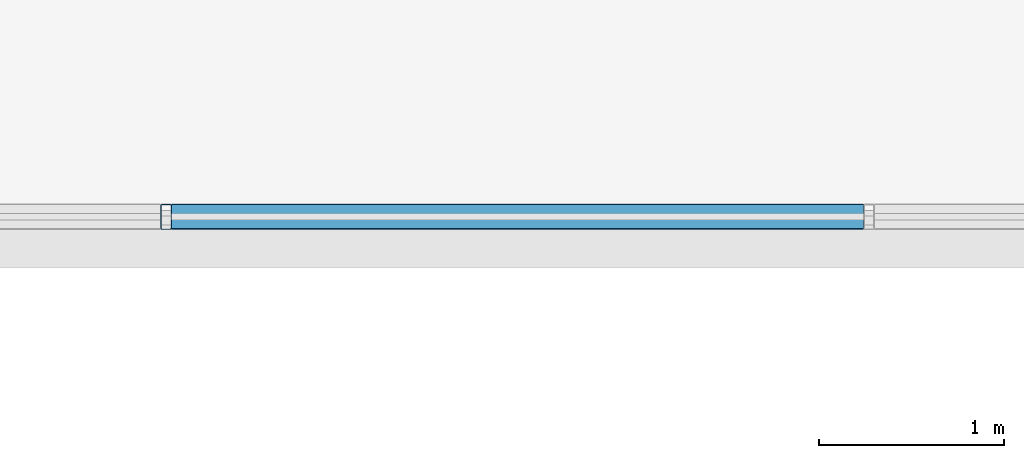
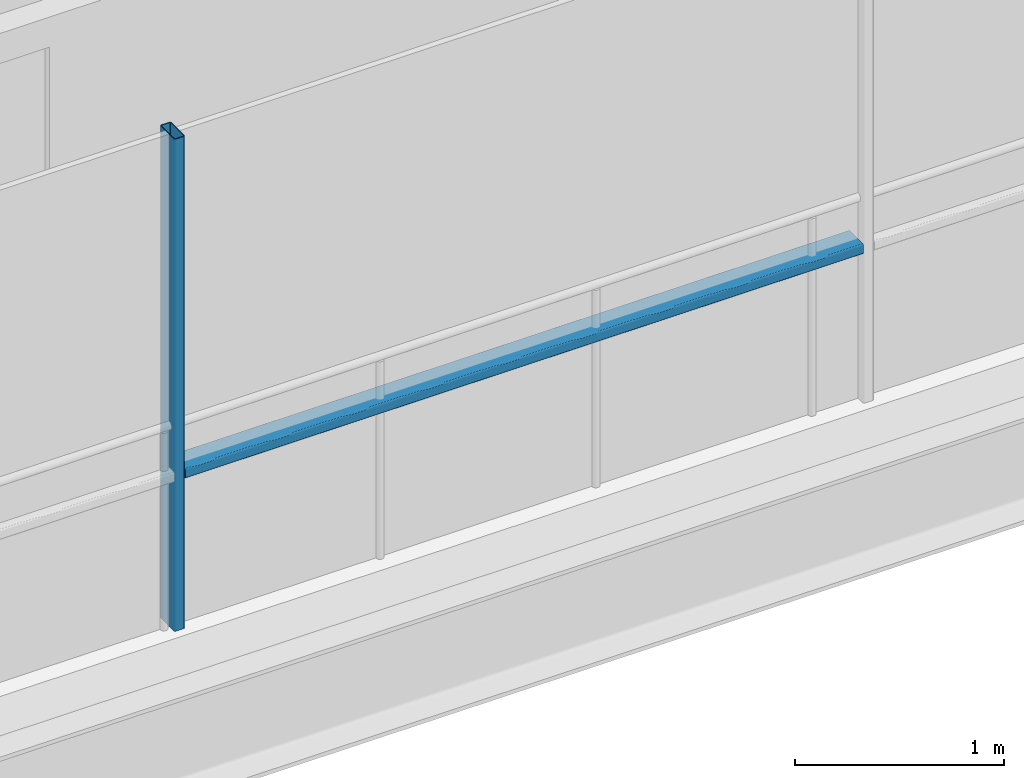
# One storey, part 11 of 41: 2 members, 1 element without a shape of its own.
"""IFC4 building model written with IfcOpenShell, lengths in metres."""

from ifc_helpers import new_model, si_unit, direction, frame, origin, origin_2d, place, context, subcontext, project, spatial, hollow_rectangle, extrude, material, layer, layer_set, material_profile, profile_set, type_object, element, aggregate, save


model = new_model("IFC4")

# Units and contexts
model_context = context("Model", 3, precision=1e-05, world=origin(), true_north=direction((0.0, 1.0)))
body_context = subcontext(model_context, "Body", "Model", "MODEL_VIEW")
ifc_project = project(units=[si_unit("LENGTHUNIT", "METRE"), si_unit("AREAUNIT", "SQUARE_METRE"), si_unit("VOLUMEUNIT", "CUBIC_METRE"), si_unit("PLANEANGLEUNIT", "RADIAN"), si_unit("MASSUNIT", "GRAM", prefix="KILO")], contexts=[model_context])

# Site, building, storey
site_placement = place(None, origin())
site = spatial("IfcSite", under=ifc_project, at=site_placement, CompositionType="ELEMENT")
building_placement = place(site_placement, origin())
building = spatial("IfcBuilding", under=site, at=building_placement, Name="Brevholm Reach", CompositionType="ELEMENT")
storey_placement = place(building_placement, frame((0.0, 0.0, 55.89990234375)))
storey = spatial("IfcBuildingStorey", under=building, at=storey_placement, Name="L15", CompositionType="ELEMENT", Elevation=55.89990234375)

# Curtain wall, members
ifc_material_1 = material(Name="Dark Anodised Aluminium 6063-T6 and Solar-Control Glass", Category="aluminium")
ifc_layer = layer(ifc_material_1, 0.139892578125)
ifc_layer_set = layer_set([ifc_layer], Name="Dark Anodised Aluminium 6063-T6 and Solar-Control Glass")
curtain_wall_type = type_object("IfcCurtainWallType", Name="CW-02", PredefinedType="NOTDEFINED", material=ifc_layer_set)
curtain_wall_placement = place(storey_placement, origin())
curtain_wall = element("IfcCurtainWall", 1, at=curtain_wall_placement, inside=storey, type_object=curtain_wall_type, Name="L15 Curtain Wall CW-02", PredefinedType="NOTDEFINED")
ifc_material_2 = material(Name="Dark Anodised Aluminium 6063-T6", Category="aluminium")
ifc_material_profile_1 = material_profile(ifc_material_2, hollow_rectangle(XDim=0.06005859375, YDim=0.139892578125, WallThickness=0.0048828125, InnerFilletRadius=0.0048828125, OuterFilletRadius=0.010009765625, at=origin_2d()), Name="RHS 140x60x5")
ifc_profile_set_1 = profile_set([ifc_material_profile_1], Name="Dark Anodised Aluminium 6063-T6")
member_type_1 = type_object("IfcMemberType", Name="CWM-140", PredefinedType="MULLION", material=ifc_profile_set_1)
member_1_placement = place(storey_placement, frame((30.050048828125, 26.6201171875, 0.0), z_axis=(0.0, 0.0, 1.0), x_axis=(-1.0, 0.0, 0.0)))
member_1 = element("IfcMember", 2, at=member_1_placement, type_object=member_type_1, Name="CM-140 Mullion 3", PredefinedType="MULLION", context=body_context, shape_type="SweptSolid", body=[
    extrude(hollow_rectangle(XDim=0.06005859375, YDim=0.139892578125, WallThickness=0.0048828125, InnerFilletRadius=0.0048828125, OuterFilletRadius=0.010009765625, at=origin_2d()), origin(), (0.0, 0.0, 1.0), 2.8701171875),
])
ifc_material_3 = material(Name="Dark Anodised Aluminium 6063-T6", Category="aluminium")
ifc_material_profile_2 = material_profile(ifc_material_3, hollow_rectangle(XDim=0.06005859375, YDim=0.139892578125, WallThickness=0.0048828125, InnerFilletRadius=0.0048828125, OuterFilletRadius=0.010009765625, at=origin_2d()), Name="RHS 140x60x5")
ifc_profile_set_2 = profile_set([ifc_material_profile_2], Name="Dark Anodised Aluminium 6063-T6")
member_type_2 = type_object("IfcMemberType", Name="CWT-140", PredefinedType="NOTDEFINED", material=ifc_profile_set_2)
member_2_placement = place(storey_placement, frame((33.820068359375, 26.6201171875, 0.900146484375), z_axis=(-1.0, 0.0, 0.0), x_axis=(0.0, 0.0, 1.0)))
member_2 = element("IfcMember", 3, at=member_2_placement, type_object=member_type_2, Name="CT-140 Transom 2.1", ObjectType="TRANSOM", PredefinedType="USERDEFINED", context=body_context, shape_type="SweptSolid", body=[
    extrude(hollow_rectangle(XDim=0.06005859375, YDim=0.139892578125, WallThickness=0.0048828125, InnerFilletRadius=0.0048828125, OuterFilletRadius=0.010009765625, at=origin_2d()), origin(), (0.0, 0.0, 1.0), 3.739990234375),
])
aggregate(curtain_wall, [member_1, member_2])

save(model, "model.ifc")
